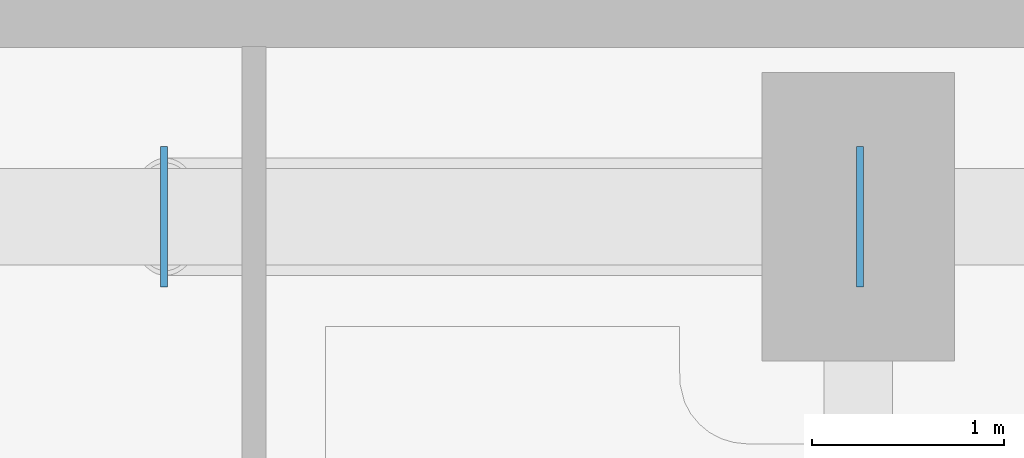
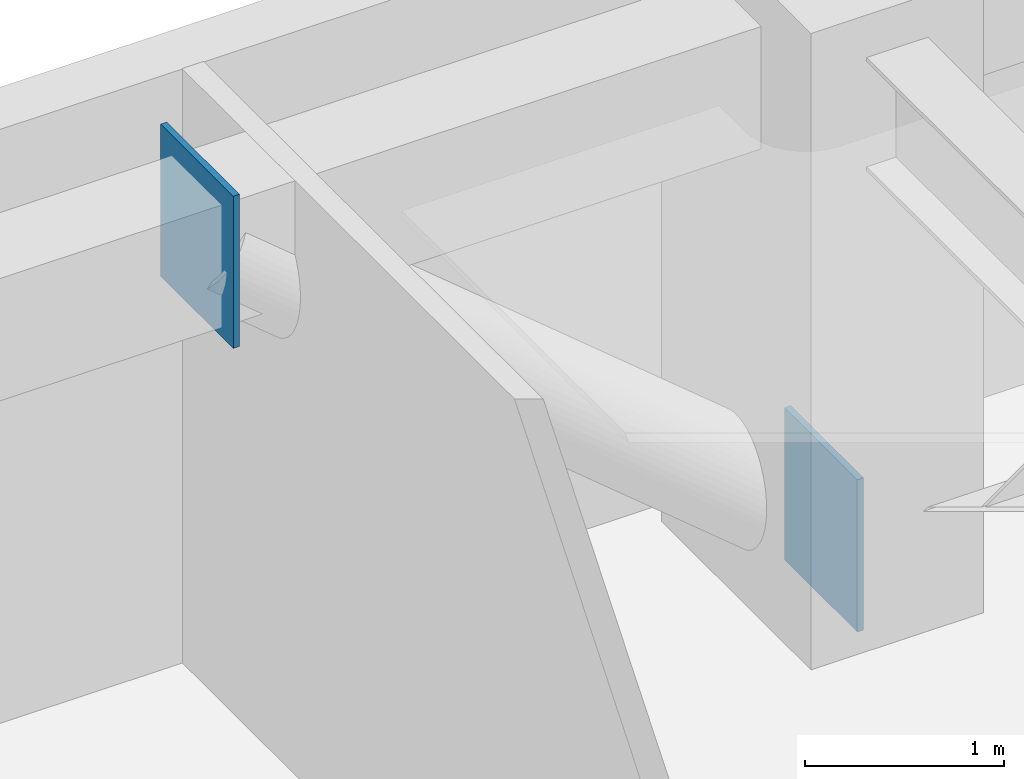
# One storey, part 21 of 28: 2 plates.
"""IFC4 building model written with IfcOpenShell, lengths in metres."""

from ifc_helpers import new_model, si_unit, direction, frame, origin, origin_2d, place, context, subcontext, project, spatial, rectangle, extrude, material, layer, layer_set, type_object, element, save


model = new_model("IFC4")

# Units and contexts
model_context = context("Model", 3, precision=1e-05, world=origin(), true_north=direction((0.0, 1.0)))
body_context = subcontext(model_context, "Body", "Model", "MODEL_VIEW")
ifc_project = project(units=[si_unit("LENGTHUNIT", "METRE"), si_unit("AREAUNIT", "SQUARE_METRE"), si_unit("VOLUMEUNIT", "CUBIC_METRE"), si_unit("PLANEANGLEUNIT", "RADIAN"), si_unit("MASSUNIT", "GRAM", prefix="KILO")], contexts=[model_context])

# Site, building, storey
site_placement = place(None, origin())
site = spatial("IfcSite", under=ifc_project, at=site_placement, CompositionType="ELEMENT")
building_placement = place(site_placement, origin())
building = spatial("IfcBuilding", under=site, at=building_placement, Name="Kiyonajd Concourse Tower", CompositionType="ELEMENT")
storey_placement = place(building_placement, frame((0.0, 0.0, 33.300048828125)))
storey = spatial("IfcBuildingStorey", under=building, at=storey_placement, Name="L09", CompositionType="ELEMENT", Elevation=33.300048828125)

# Plates
ifc_material = material(Name="Steel ASTM A572 Grade 50", Category="steel")
ifc_layer = layer(ifc_material, 0.028076171875)
ifc_layer_set = layer_set([ifc_layer], Name="Steel ASTM A572 Grade 50")
plate_type = type_object("IfcPlateType", Name="PL-CAP-450", PredefinedType="USERDEFINED", material=ifc_layer_set)
for number, where, z_axis, x_axis, name in (
    (1, (63.6083984375, 61.199951171875, -0.173583984375), (0.0, 0.0, 1.0), (1.0, 0.0, 0.0), "L09 Hollow Brace End Cap Plate PBN"),
    (2, (59.991455078125, 61.199951171875, 2.830322265625), (0.0, 0.0, 1.0), (-1.0, 0.0, 0.0), "L09 Hollow Brace Top Cap Plate PBN"),
):
    element("IfcPlate", number, at=place(storey_placement, frame(where, z_axis=z_axis, x_axis=x_axis)), inside=storey, type_object=plate_type, Name=name, ObjectType="CAP PLATE", PredefinedType="USERDEFINED", context=body_context, shape_type="SweptSolid", body=[
        extrude(rectangle(XDim=0.035888671875, YDim=0.72998046875, at=origin_2d()), origin(), (0.0, 0.0, 1.0), 0.93310546875),
    ])

save(model, "model.ifc")
